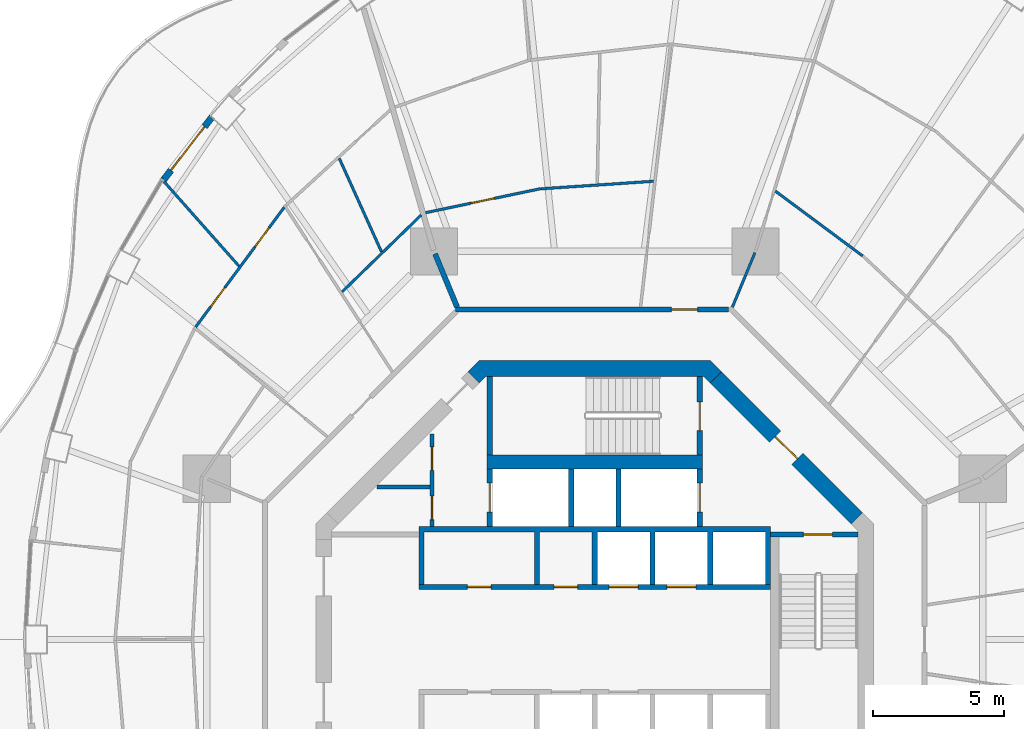
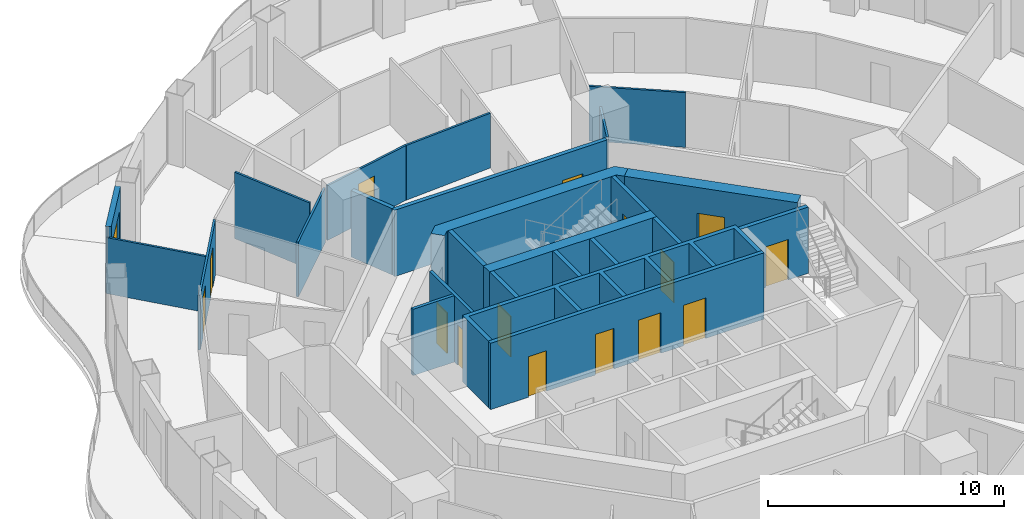
# One storey, part 14 of 19: 25 walls, 16 doors, 16 openings.
"""IFC4 building model written with IfcOpenShell, lengths in metres."""

from ifc_helpers import new_model, si_unit, direction, frame, frame_2d, origin, place, context, subcontext, project, spatial, polyline, rectangle, outline, extrude, material, layer, layer_set, type_object, element, fill, save


model = new_model("IFC4")

# Units and contexts
model_context = context("Model", 3, precision=1e-05, world=origin(), true_north=direction((0.0, 1.0)))
body_context = subcontext(model_context, "Body", "Model", "MODEL_VIEW")
ifc_project = project(units=[si_unit("LENGTHUNIT", "METRE"), si_unit("AREAUNIT", "SQUARE_METRE"), si_unit("VOLUMEUNIT", "CUBIC_METRE"), si_unit("PLANEANGLEUNIT", "RADIAN"), si_unit("MASSUNIT", "GRAM", prefix="KILO")], contexts=[model_context])

# Site, building, storey
site_placement = place(None, origin())
site = spatial("IfcSite", under=ifc_project, at=site_placement, CompositionType="ELEMENT")
building_placement = place(site_placement, origin())
building = spatial("IfcBuilding", under=site, at=building_placement, Name="Nagisa Residences", CompositionType="ELEMENT")
storey_placement = place(building_placement, frame((0.0, 0.0, 191.800048828125)))
storey = spatial("IfcBuildingStorey", under=building, at=storey_placement, Name="L48", CompositionType="ELEMENT", Elevation=191.800048828125)

# Wall
ifc_material_1 = material(Name="Gypsum board on steel studs", Category="steel")
ifc_layer_1 = layer(ifc_material_1, 0.199951171875)
ifc_layer_set_1 = layer_set([ifc_layer_1], Name="Apartment compartment wall EI60 200")
wall_type_1 = type_object("IfcWallType", Name="Apartment compartment wall EI60 200", PredefinedType="PARTITIONING", material=ifc_layer_set_1)
wall_1_placement = place(storey_placement, frame((-5.24267578125, 12.6572265625, 0.0), z_axis=(0.0, 0.0, 1.0), x_axis=(-0.382707856524, 0.923869415315, 0.0)))
element("IfcWall", 1, at=wall_1_placement, inside=storey, type_object=wall_type_1, Name="wall:L48:u02", PredefinedType="PARTITIONING", context=body_context, shape_type="SweptSolid", body=[
    extrude(rectangle(XDim=2.2001953125, YDim=0.199951171875, at=frame_2d((1.10009765625, 0.0))), origin(), (0.0, 0.0, 1.0), 3.43994140625),
])

# Wall, opening, door
ifc_material_2 = material(Name="Gypsum board on steel studs", Category="steel")
ifc_layer_2 = layer(ifc_material_2, 0.199951171875)
ifc_layer_set_2 = layer_set([ifc_layer_2], Name="Apartment entry wall EI60 200")
wall_type_2 = type_object("IfcWallType", Name="Apartment entry wall EI60 200", PredefinedType="PARTITIONING", material=ifc_layer_set_2)
wall_2_placement = place(storey_placement, frame((5.1044921875, 12.564697265625, 0.0), z_axis=(0.0, 0.0, 1.0), x_axis=(-1.0, 0.0, 0.0)))
wall_2 = element("IfcWall", 2, at=wall_2_placement, inside=storey, type_object=wall_type_2, Name="wall:L48:u12", PredefinedType="PARTITIONING", context=body_context, shape_type="SweptSolid", body=[
    extrude(rectangle(XDim=10.408935546875, YDim=0.199951171875, at=frame_2d((5.20458984375, 0.0))), origin(), (0.0, 0.0, 1.0), 3.43994140625),
])
opening_1_placement = place(wall_2_placement, frame((1.184814453125, 0.0, 0.0)))
opening_1 = element("IfcOpeningElement", 3, at=opening_1_placement, cuts=wall_2, Name="Opening L48-U31", PredefinedType="OPENING", context=body_context, shape_type="SweptSolid", body=[
    extrude(rectangle(XDim=1.0, YDim=2.10009765625, at=frame_2d((0.5, 1.050048828125))), frame((0.0, 0.10986328125, 0.0), z_axis=(0.0, -1.0, 0.0), x_axis=(1.0, 0.0, 0.0)), (0.0, 0.0, 1.0), 0.219970703125),
])
ifc_material_3 = material(Name="Timber fire door set", Category="wood")
door_type_1 = type_object("IfcDoorType", Name="Apartment entry door FD30S 1000x2100", OperationType="NOTDEFINED", PredefinedType="DOOR", material=ifc_material_3)
door_1_placement = place(opening_1_placement, frame((1.0, 0.0, 0.0), x_axis=(-1.0, 0.0, 0.0)))
door_1 = element("IfcDoor", 4, at=door_1_placement, inside=storey, type_object=door_type_1, Name="Entry door, Apartment 48D", OperationType="SINGLE_SWING_RIGHT", OverallHeight=2.10009765625, OverallWidth=1.0, PredefinedType="DOOR", context=body_context, shape_type="SweptSolid", body=[
    extrude(rectangle(XDim=1.0, YDim=2.10009765625, at=frame_2d((0.5, 1.050048828125))), frame((0.0, 0.02490234375, 0.0), z_axis=(0.0, -1.0, 0.0), x_axis=(1.0, 0.0, 0.0)), (0.0, 0.0, 1.0), 0.050048828125),
])
fill(opening_1, door_1)

# Walls
ifc_material_4 = material(Name="Gypsum board on steel studs", Category="steel")
ifc_layer_3 = layer(ifc_material_4, 0.10009765625)
ifc_layer_set_3 = layer_set([ifc_layer_3], Name="Apartment partition 100")
wall_type_3 = type_object("IfcWallType", Name="Apartment partition 100", PredefinedType="PARTITIONING", material=ifc_layer_set_3)
wall_3_placement = place(storey_placement, frame((10.20654296875, 14.609619140625, 0.0), z_axis=(0.0, 0.0, 1.0), x_axis=(-0.802784956441, 0.596268659005, 0.0)))
element("IfcWall", 5, at=wall_3_placement, inside=storey, type_object=wall_type_3, Name="wall:L48:u30", PredefinedType="PARTITIONING", context=body_context, shape_type="SweptSolid", body=[
    extrude(rectangle(XDim=4.142333984375, YDim=0.10009765625, at=frame_2d((2.0712890625, 0.0))), origin(), (0.0, 0.0, 1.0), 2.8369140625),
])
wall_4_placement = place(storey_placement, frame((5.24267578125, 12.6572265625, 0.0), z_axis=(0.0, 0.0, 1.0), x_axis=(0.382719158442, 0.923864733477, 0.0)))
element("IfcWall", 6, at=wall_4_placement, inside=storey, type_object=wall_type_3, Name="wall:L48:u32", PredefinedType="PARTITIONING", context=body_context, shape_type="SweptSolid", body=[
    extrude(rectangle(XDim=2.25, YDim=0.10009765625, at=frame_2d((1.125, 0.0))), origin(), (0.0, 0.0, 1.0), 3.43994140625),
])
wall_5_placement = place(storey_placement, frame((2.244384765625, 17.45458984375, 0.0), z_axis=(0.0, 0.0, 1.0), x_axis=(-0.997754717554, -0.066974051687, 0.0)))
element("IfcWall", 7, at=wall_5_placement, inside=storey, type_object=wall_type_3, Name="wall:L48:u36", PredefinedType="PARTITIONING", context=body_context, shape_type="SweptSolid", body=[
    extrude(rectangle(XDim=4.308837890625, YDim=0.10009765625, at=frame_2d((2.154296875, 0.0))), origin(), (0.0, 0.0, 1.0), 2.8369140625),
])

# Wall, opening, door
wall_6_placement = place(storey_placement, frame((-2.0556640625, 17.1728515625, 0.0), z_axis=(0.0, 0.0, 1.0), x_axis=(-0.978902917122, -0.20432591331, 0.0)))
wall_6 = element("IfcWall", 8, at=wall_6_placement, inside=storey, type_object=wall_type_3, Name="wall:L48:u39", PredefinedType="PARTITIONING", context=body_context, shape_type="SweptSolid", body=[
    extrude(rectangle(XDim=4.485595703125, YDim=0.10009765625, at=frame_2d((2.24267578125, 0.0))), origin(), (0.0, 0.0, 1.0), 2.8369140625),
])
opening_2_placement = place(wall_6_placement, frame((1.81787109375, 0.0, 0.0)))
opening_2 = element("IfcOpeningElement", 9, at=opening_2_placement, cuts=wall_6, Name="Opening L48-U36", PredefinedType="OPENING", context=body_context, shape_type="SweptSolid", body=[
    extrude(rectangle(XDim=0.89990234375, YDim=2.10009765625, at=frame_2d((0.449951171875, 1.050048828125))), frame((0.0, 0.06005859375, 0.0), z_axis=(0.0, -1.0, 0.0), x_axis=(1.0, 0.0, 0.0)), (0.0, 0.0, 1.0), 0.1201171875),
])
ifc_material_5 = material(Name="Timber door set", Category="wood")
door_type_2 = type_object("IfcDoorType", Name="Apartment door 900x2100", OperationType="NOTDEFINED", PredefinedType="DOOR", material=ifc_material_5)
door_2_placement = place(opening_2_placement, frame((0.89990234375, 0.0, 0.0), x_axis=(-1.0, 0.0, 0.0)))
door_2 = element("IfcDoor", 10, at=door_2_placement, inside=storey, type_object=door_type_2, Name="Door to family room, Apartment 48D", OperationType="SINGLE_SWING_LEFT", OverallHeight=2.10009765625, OverallWidth=0.89990234375, PredefinedType="DOOR", context=body_context, shape_type="SweptSolid", body=[
    extrude(rectangle(XDim=0.89990234375, YDim=2.10009765625, at=frame_2d((0.449951171875, 1.050048828125))), frame((0.0, 0.02490234375, 0.0), z_axis=(0.0, -1.0, 0.0), x_axis=(1.0, 0.0, 0.0)), (0.0, 0.0, 1.0), 0.050048828125),
])
fill(opening_2, door_2)

# Walls
wall_7_placement = place(storey_placement, frame((-6.6162109375, 16.166259765625, 0.0), z_axis=(0.0, 0.0, 1.0), x_axis=(-0.716919058692, -0.697156412352, 0.0)))
element("IfcWall", 11, at=wall_7_placement, inside=storey, type_object=wall_type_3, Name="wall:L48:u42", PredefinedType="PARTITIONING", context=body_context, shape_type="SweptSolid", body=[
    extrude(rectangle(XDim=4.2001953125, YDim=0.10009765625, at=frame_2d((2.10009765625, 0.0))), origin(), (0.0, 0.0, 1.0), 2.8369140625),
])
wall_8_placement = place(storey_placement, frame((-8.12451171875, 14.76513671875, 0.0), z_axis=(0.0, 0.0, 1.0), x_axis=(-0.411745679848, 0.911298795745, 0.0)))
element("IfcWall", 12, at=wall_8_placement, inside=storey, type_object=wall_type_3, Name="wall:L48:u44", PredefinedType="PARTITIONING", context=body_context, shape_type="SweptSolid", body=[
    extrude(rectangle(XDim=3.9091796875, YDim=0.10009765625, at=frame_2d((1.95458984375, 0.0))), origin(), (0.0, 0.0, 1.0), 3.43994140625),
])

# Wall, openings, doors
wall_9_placement = place(storey_placement, frame((-11.832275390625, 16.461181640625, 0.0), z_axis=(0.0, 0.0, 1.0), x_axis=(-0.594704483906, -0.803944386647, 0.0)))
wall_9 = element("IfcWall", 13, at=wall_9_placement, inside=storey, type_object=wall_type_3, Name="wall:L48:u46", PredefinedType="PARTITIONING", context=body_context, shape_type="SweptSolid", body=[
    extrude(rectangle(XDim=5.671875, YDim=0.10009765625, at=frame_2d((2.8359375, 0.0))), origin(), (0.0, 0.0, 1.0), 2.8369140625),
])
opening_3_placement = place(wall_9_placement, frame((0.968017578125, 0.0, 0.0)))
opening_3 = element("IfcOpeningElement", 14, at=opening_3_placement, cuts=wall_9, Name="Opening L48-U49", PredefinedType="OPENING", context=body_context, shape_type="SweptSolid", body=[
    extrude(rectangle(XDim=0.89990234375, YDim=2.10009765625, at=frame_2d((0.449951171875, 1.050048828125))), frame((0.0, 0.06005859375, 0.0), z_axis=(0.0, -1.0, 0.0), x_axis=(1.0, 0.0, 0.0)), (0.0, 0.0, 1.0), 0.1201171875),
])
opening_4_placement = place(wall_9_placement, frame((3.8037109375, 0.0, 0.0)))
opening_4 = element("IfcOpeningElement", 15, at=opening_4_placement, cuts=wall_9, Name="Opening L48-U50", PredefinedType="OPENING", context=body_context, shape_type="SweptSolid", body=[
    extrude(rectangle(XDim=0.89990234375, YDim=2.10009765625, at=frame_2d((0.449951171875, 1.050048828125))), frame((0.0, 0.06005859375, 0.0), z_axis=(0.0, -1.0, 0.0), x_axis=(1.0, 0.0, 0.0)), (0.0, 0.0, 1.0), 0.1201171875),
])
door_3_placement = place(opening_3_placement, frame((0.89990234375, 0.0, 0.0), x_axis=(-1.0, 0.0, 0.0)))
door_3 = element("IfcDoor", 16, at=door_3_placement, inside=storey, type_object=door_type_2, Name="Door to master bedroom, Apartment 48E", OperationType="SINGLE_SWING_RIGHT", OverallHeight=2.10009765625, OverallWidth=0.89990234375, PredefinedType="DOOR", context=body_context, shape_type="SweptSolid", body=[
    extrude(rectangle(XDim=0.89990234375, YDim=2.10009765625, at=frame_2d((0.449951171875, 1.050048828125))), frame((0.0, 0.02490234375, 0.0), z_axis=(0.0, -1.0, 0.0), x_axis=(1.0, 0.0, 0.0)), (0.0, 0.0, 1.0), 0.050048828125),
])
fill(opening_3, door_3)
door_4_placement = place(opening_4_placement, frame((0.89990234375, 0.0, 0.0), x_axis=(-1.0, 0.0, 0.0)))
door_4 = element("IfcDoor", 17, at=door_4_placement, inside=storey, type_object=door_type_2, Name="Door to family room, Apartment 48E", OperationType="SINGLE_SWING_LEFT", OverallHeight=2.10009765625, OverallWidth=0.89990234375, PredefinedType="DOOR", context=body_context, shape_type="SweptSolid", body=[
    extrude(rectangle(XDim=0.89990234375, YDim=2.10009765625, at=frame_2d((0.449951171875, 1.050048828125))), frame((0.0, 0.02490234375, 0.0), z_axis=(0.0, -1.0, 0.0), x_axis=(1.0, 0.0, 0.0)), (0.0, 0.0, 1.0), 0.050048828125),
])
fill(opening_4, door_4)

# Wall
wall_10_placement = place(storey_placement, frame((-13.552001953125, 14.21875, 0.0), z_axis=(0.0, 0.0, 1.0), x_axis=(-0.663542794709, 0.748138329181, 0.0)))
element("IfcWall", 18, at=wall_10_placement, inside=storey, type_object=wall_type_3, Name="wall:L48:u47", PredefinedType="PARTITIONING", context=body_context, shape_type="SweptSolid", body=[
    extrude(rectangle(XDim=4.4501953125, YDim=0.10009765625, at=frame_2d((2.22509765625, 0.0))), origin(), (0.0, 0.0, 1.0), 2.905029296875),
])

# Wall, opening, door
ifc_material_6 = material(Name="Precast concrete C40/50", Category="concrete")
ifc_layer_4 = layer(ifc_material_6, 0.25)
ifc_layer_set_4 = layer_set([ifc_layer_4], Name="BALCONY DOOR WALL 250")
wall_type_4 = type_object("IfcWallType", Name="BALCONY DOOR WALL 250", PredefinedType="SOLIDWALL", material=ifc_layer_set_4)
wall_11_placement = place(storey_placement, frame((-16.432373046875, 17.501708984375, 0.0), z_axis=(0.0, 0.0, 1.0), x_axis=(0.610437428894, 0.79206448311, 0.0)))
wall_11 = element("IfcWall", 19, at=wall_11_placement, inside=storey, type_object=wall_type_4, Name="wall:L48:bay18", PredefinedType="SOLIDWALL", context=body_context, shape_type="SweptSolid", body=[
    extrude(rectangle(XDim=3.03515625, YDim=0.25, at=frame_2d((1.517578125, 0.0))), origin(), (0.0, 0.0, 1.0), 3.43994140625),
])
opening_5_placement = place(wall_11_placement, frame((0.467529296875, 0.0, 0.0)))
opening_5 = element("IfcOpeningElement", 20, at=opening_5_placement, cuts=wall_11, Name="Opening BD-L48-07", PredefinedType="OPENING", context=body_context, shape_type="SweptSolid", body=[
    extrude(rectangle(XDim=2.10009765625, YDim=2.39990234375, at=frame_2d((1.050048828125, 1.199951171875))), frame((0.0, 0.135009765625, 0.0), z_axis=(0.0, -1.0, 0.0), x_axis=(1.0, 0.0, 0.0)), (0.0, 0.0, 1.0), 0.27001953125),
])
ifc_material_7 = material(Name="Aluminium and clear glass", Category="aluminium")
door_type_3 = type_object("IfcDoorType", Name="BALCONY SLIDING DOOR 2100x2400", OperationType="SLIDING_TO_LEFT", PredefinedType="DOOR", material=ifc_material_7)
door_5_placement = place(opening_5_placement, origin())
door_5 = element("IfcDoor", 21, at=door_5_placement, inside=storey, type_object=door_type_3, Name="door:L48:bay18", OperationType="SLIDING_TO_LEFT", OverallHeight=2.39990234375, OverallWidth=2.10009765625, PredefinedType="DOOR", context=body_context, shape_type="SweptSolid", body=[
    extrude(rectangle(XDim=2.10009765625, YDim=2.39990234375, at=frame_2d((1.050048828125, 1.199951171875))), frame((0.0, 0.02490234375, 0.0), z_axis=(0.0, -1.0, 0.0), x_axis=(1.0, 0.0, 0.0)), (0.0, 0.0, 1.0), 0.050048828125),
])
fill(opening_5, door_5)

# Wall, openings, doors
ifc_material_8 = material(Name="Gypsum board on steel studs", Category="steel")
ifc_layer_5 = layer(ifc_material_8, 0.14990234375)
ifc_layer_set_5 = layer_set([ifc_layer_5], Name="Core partition 150")
wall_type_5 = type_object("IfcWallType", Name="Core partition 150", PredefinedType="PARTITIONING", material=ifc_layer_set_5)
wall_12_placement = place(storey_placement, frame((-6.199951171875, 4.300048828125, 0.0), z_axis=(0.0, 0.0, 1.0), x_axis=(0.0, 1.0, 0.0)))
wall_12 = element("IfcWall", 22, at=wall_12_placement, inside=storey, type_object=wall_type_5, Name="wall:L48:NWp", PredefinedType="PARTITIONING", context=body_context, shape_type="SweptSolid", body=[
    extrude(rectangle(XDim=3.52685546875, YDim=0.14990234375, at=frame_2d((1.763427734375, 0.0))), origin(), (0.0, 0.0, 1.0), 3.43994140625),
])
opening_6_placement = place(wall_12_placement, frame((0.262451171875, 0.0, 0.0)))
opening_6 = element("IfcOpeningElement", 23, at=opening_6_placement, cuts=wall_12, Name="Opening L48-C11", PredefinedType="OPENING", context=body_context, shape_type="SweptSolid", body=[
    extrude(rectangle(XDim=0.89990234375, YDim=2.10009765625, at=frame_2d((0.449951171875, 1.050048828125))), frame((0.0, 0.0849609375, 0.0), z_axis=(0.0, -1.0, 0.0), x_axis=(1.0, 0.0, 0.0)), (0.0, 0.0, 1.0), 0.169921875),
])
opening_7_placement = place(wall_12_placement, frame((2.138427734375, 0.0, 0.0)))
opening_7 = element("IfcOpeningElement", 24, at=opening_7_placement, cuts=wall_12, Name="Opening L48-C12", PredefinedType="OPENING", context=body_context, shape_type="SweptSolid", body=[
    extrude(rectangle(XDim=0.89990234375, YDim=2.10009765625, at=frame_2d((0.449951171875, 1.050048828125))), frame((0.0, 0.0849609375, 0.0), z_axis=(0.0, -1.0, 0.0), x_axis=(1.0, 0.0, 0.0)), (0.0, 0.0, 1.0), 0.169921875),
])
ifc_material_9 = material(Name="Steel fire door", Category="steel")
door_type_4 = type_object("IfcDoorType", Name="Fire door EI30 900x2100 single swing", OperationType="NOTDEFINED", PredefinedType="DOOR", material=ifc_material_9)
door_6_placement = place(opening_6_placement, origin())
door_6 = element("IfcDoor", 25, at=door_6_placement, inside=storey, type_object=door_type_4, Name="Electrical room door L48", OperationType="SINGLE_SWING_RIGHT", OverallHeight=2.10009765625, OverallWidth=0.89990234375, PredefinedType="DOOR", context=body_context, shape_type="SweptSolid", body=[
    extrude(rectangle(XDim=0.89990234375, YDim=2.10009765625, at=frame_2d((0.449951171875, 1.050048828125))), frame((0.0, 0.02490234375, 0.0), z_axis=(0.0, -1.0, 0.0), x_axis=(1.0, 0.0, 0.0)), (0.0, 0.0, 1.0), 0.050048828125),
])
fill(opening_6, door_6)
door_7_placement = place(opening_7_placement, origin())
door_7 = element("IfcDoor", 26, at=door_7_placement, inside=storey, type_object=door_type_4, Name="Telecom room door L48", OperationType="SINGLE_SWING_RIGHT", OverallHeight=2.10009765625, OverallWidth=0.89990234375, PredefinedType="DOOR", context=body_context, shape_type="SweptSolid", body=[
    extrude(rectangle(XDim=0.89990234375, YDim=2.10009765625, at=frame_2d((0.449951171875, 1.050048828125))), frame((0.0, 0.02490234375, 0.0), z_axis=(0.0, -1.0, 0.0), x_axis=(1.0, 0.0, 0.0)), (0.0, 0.0, 1.0), 0.050048828125),
])
fill(opening_7, door_7)

# Wall
wall_13_placement = place(storey_placement, frame((-8.301025390625, 5.800048828125, 0.0), z_axis=(0.0, 0.0, 1.0), x_axis=(1.0, 0.0, 0.0)))
element("IfcWall", 27, at=wall_13_placement, inside=storey, type_object=wall_type_5, Name="wall:L48:NWq", PredefinedType="PARTITIONING", context=body_context, shape_type="SweptSolid", body=[
    extrude(rectangle(XDim=2.026123046875, YDim=0.14990234375, at=frame_2d((1.01318359375, 0.0))), origin(), (0.0, 0.0, 1.0), 3.43994140625),
])

# Wall, opening, door
ifc_material_10 = material(Name="Concrete C60", Category="concrete")
ifc_layer_6 = layer(ifc_material_10, 0.60009765625)
ifc_layer_set_6 = layer_set([ifc_layer_6], Name="Core shear wall 600")
wall_type_6 = type_object("IfcWallType", Name="Core shear wall 600", PredefinedType="SHEAR", material=ifc_layer_set_6)
wall_14_placement = place(storey_placement, frame((9.98828125, 4.613037109375, 0.0), z_axis=(0.0, 0.0, 1.0), x_axis=(-0.707106781187, 0.707106781187, 0.0)))
wall_14 = element("IfcWall", 28, at=wall_14_placement, inside=storey, type_object=wall_type_6, Name="wall:L48:core:flat1", PredefinedType="SHEAR", context=body_context, shape_type="SweptSolid", body=[
    extrude(rectangle(XDim=7.601806640625, YDim=0.60009765625, at=frame_2d((3.80078125, 0.0))), origin(), (0.0, 0.0, 1.0), 3.43994140625),
])
opening_8_placement = place(wall_14_placement, frame((3.200927734375, 0.0, 0.0)))
opening_8 = element("IfcOpeningElement", 29, at=opening_8_placement, cuts=wall_14, Name="Opening L48-C18", PredefinedType="OPENING", context=body_context, shape_type="SweptSolid", body=[
    extrude(rectangle(XDim=1.199951171875, YDim=2.10009765625, at=frame_2d((0.60009765625, 1.050048828125))), frame((0.0, 0.31005859375, 0.0), z_axis=(0.0, -1.0, 0.0), x_axis=(1.0, 0.0, 0.0)), (0.0, 0.0, 1.0), 0.6201171875),
])
ifc_material_11 = material(Name="Steel fire door", Category="steel")
door_type_5 = type_object("IfcDoorType", Name="Fire door EI60 1200x2100 single swing", OperationType="NOTDEFINED", PredefinedType="DOOR", material=ifc_material_11)
door_8_placement = place(opening_8_placement, origin())
door_8 = element("IfcDoor", 30, at=door_8_placement, inside=storey, type_object=door_type_5, Name="Firefighting lobby 1 door L48", OperationType="SINGLE_SWING_RIGHT", OverallHeight=2.10009765625, OverallWidth=1.199951171875, PredefinedType="DOOR", context=body_context, shape_type="SweptSolid", body=[
    extrude(rectangle(XDim=1.199951171875, YDim=2.10009765625, at=frame_2d((0.60009765625, 1.050048828125))), frame((0.0, 0.02490234375, 0.0), z_axis=(0.0, -1.0, 0.0), x_axis=(1.0, 0.0, 0.0)), (0.0, 0.0, 1.0), 0.050048828125),
])
fill(opening_8, door_8)

# Wall
wall_15_placement = place(storey_placement, origin())
element("IfcWall", 31, at=wall_15_placement, inside=storey, type_object=wall_type_6, Name="wall:L48:core:flat2", PredefinedType="SHEAR", context=body_context, shape_type="SweptSolid", body=[
    extrude(outline(polyline([(-4.15234375, 10.024658203125), (-4.40087890625, 9.776123046875), (-4.8251953125, 10.200439453125), (-4.40087890625, 10.62451171875), (4.40087890625, 10.62451171875), (4.8251953125, 10.200439453125), (4.40087890625, 9.776123046875), (4.15234375, 10.024658203125), (-4.15234375, 10.024658203125)])), origin(), (0.0, 0.0, 1.0), 3.43994140625),
])

# Wall, opening, door
ifc_material_12 = material(Name="Concrete C60", Category="concrete")
ifc_layer_7 = layer(ifc_material_12, 0.199951171875)
ifc_layer_set_7 = layer_set([ifc_layer_7], Name="Lift shaft wall 200")
wall_type_7 = type_object("IfcWallType", Name="Lift shaft wall 200", PredefinedType="SOLIDWALL", material=ifc_layer_set_7)
wall_16_placement = place(storey_placement, frame((4.0, 4.300048828125, 0.0), z_axis=(0.0, 0.0, 1.0), x_axis=(0.0, 1.0, 0.0)))
wall_16 = element("IfcWall", 32, at=wall_16_placement, inside=storey, type_object=wall_type_7, Name="wall:L48:Nb3", PredefinedType="SOLIDWALL", context=body_context, shape_type="SweptSolid", body=[
    extrude(rectangle(XDim=2.199951171875, YDim=0.199951171875, at=frame_2d((1.10009765625, 0.0))), origin(), (0.0, 0.0, 1.0), 3.43994140625),
])
opening_9_placement = place(wall_16_placement, frame((0.550048828125, 0.0, 0.0)))
opening_9 = element("IfcOpeningElement", 33, at=opening_9_placement, cuts=wall_16, Name="Opening L48-C05", PredefinedType="OPENING", context=body_context, shape_type="SweptSolid", body=[
    extrude(rectangle(XDim=1.10009765625, YDim=2.10009765625, at=frame_2d((0.550048828125, 1.050048828125))), frame((0.0, 0.10986328125, 0.0), z_axis=(0.0, -1.0, 0.0), x_axis=(1.0, 0.0, 0.0)), (0.0, 0.0, 1.0), 0.219970703125),
])
ifc_material_13 = material(Name="Stainless steel", Category="steel")
door_type_6 = type_object("IfcDoorType", Name="Lift landing door 1100x2100", OperationType="DOUBLE_DOOR_SLIDING", PredefinedType="DOOR", material=ifc_material_13)
door_9_placement = place(opening_9_placement, origin())
door_9 = element("IfcDoor", 34, at=door_9_placement, inside=storey, type_object=door_type_6, Name="Landing door FL1 L48", OperationType="DOUBLE_DOOR_SLIDING", OverallHeight=2.10009765625, OverallWidth=1.10009765625, PredefinedType="DOOR", context=body_context, shape_type="SweptSolid", body=[
    extrude(rectangle(XDim=1.10009765625, YDim=2.10009765625, at=frame_2d((0.550048828125, 1.050048828125))), frame((0.0, 0.02490234375, 0.0), z_axis=(0.0, -1.0, 0.0), x_axis=(1.0, 0.0, 0.0)), (0.0, 0.0, 1.0), 0.050048828125),
])
fill(opening_9, door_9)

wall_17_placement = place(storey_placement, frame((-4.0, 4.300048828125, 0.0), z_axis=(0.0, 0.0, 1.0), x_axis=(0.0, 1.0, 0.0)))
wall_17 = element("IfcWall", 35, at=wall_17_placement, inside=storey, type_object=wall_type_7, Name="wall:L48:Nb4", PredefinedType="SOLIDWALL", context=body_context, shape_type="SweptSolid", body=[
    extrude(rectangle(XDim=2.199951171875, YDim=0.199951171875, at=frame_2d((1.10009765625, 0.0))), origin(), (0.0, 0.0, 1.0), 3.43994140625),
])
opening_10_placement = place(wall_17_placement, frame((0.550048828125, 0.0, 0.0)))
opening_10 = element("IfcOpeningElement", 36, at=opening_10_placement, cuts=wall_17, Name="Opening L48-C07", PredefinedType="OPENING", context=body_context, shape_type="SweptSolid", body=[
    extrude(rectangle(XDim=1.10009765625, YDim=2.10009765625, at=frame_2d((0.550048828125, 1.050048828125))), frame((0.0, 0.10986328125, 0.0), z_axis=(0.0, -1.0, 0.0), x_axis=(1.0, 0.0, 0.0)), (0.0, 0.0, 1.0), 0.219970703125),
])
door_10_placement = place(opening_10_placement, origin())
door_10 = element("IfcDoor", 37, at=door_10_placement, inside=storey, type_object=door_type_6, Name="Landing door SV L48", OperationType="DOUBLE_DOOR_SLIDING", OverallHeight=2.10009765625, OverallWidth=1.10009765625, PredefinedType="DOOR", context=body_context, shape_type="SweptSolid", body=[
    extrude(rectangle(XDim=1.10009765625, YDim=2.10009765625, at=frame_2d((0.550048828125, 1.050048828125))), frame((0.0, 0.02490234375, 0.0), z_axis=(0.0, -1.0, 0.0), x_axis=(1.0, 0.0, 0.0)), (0.0, 0.0, 1.0), 0.050048828125),
])
fill(opening_10, door_10)

# Wall, openings, doors
wall_18_placement = place(storey_placement, frame((-6.699951171875, 2.0, 0.0), z_axis=(0.0, 0.0, 1.0), x_axis=(1.0, 0.0, 0.0)))
wall_18 = element("IfcWall", 38, at=wall_18_placement, inside=storey, type_object=wall_type_7, Name="wall:L48:Nfront", PredefinedType="SOLIDWALL", context=body_context, shape_type="SweptSolid", body=[
    extrude(rectangle(XDim=13.39990234375, YDim=0.199951171875, at=frame_2d((6.699951171875, 0.0))), origin(), (0.0, 0.0, 1.0), 3.43994140625),
])
opening_11_placement = place(wall_18_placement, frame((7.25, 0.0, 0.0)))
opening_11 = element("IfcOpeningElement", 39, at=opening_11_placement, cuts=wall_18, Name="Opening L48-C01", PredefinedType="OPENING", context=body_context, shape_type="SweptSolid", body=[
    extrude(rectangle(XDim=1.10009765625, YDim=2.10009765625, at=frame_2d((0.550048828125, 1.050048828125))), frame((0.0, 0.10986328125, 0.0), z_axis=(0.0, -1.0, 0.0), x_axis=(1.0, 0.0, 0.0)), (0.0, 0.0, 1.0), 0.219970703125),
])
opening_12_placement = place(wall_18_placement, frame((9.449951171875, 0.0, 0.0)))
opening_12 = element("IfcOpeningElement", 40, at=opening_12_placement, cuts=wall_18, Name="Opening L48-C02", PredefinedType="OPENING", context=body_context, shape_type="SweptSolid", body=[
    extrude(rectangle(XDim=1.10009765625, YDim=2.10009765625, at=frame_2d((0.550048828125, 1.050048828125))), frame((0.0, 0.10986328125, 0.0), z_axis=(0.0, -1.0, 0.0), x_axis=(1.0, 0.0, 0.0)), (0.0, 0.0, 1.0), 0.219970703125),
])
opening_13_placement = place(wall_18_placement, frame((1.85009765625, 0.0, 0.0)))
opening_13 = element("IfcOpeningElement", 41, at=opening_13_placement, cuts=wall_18, Name="Opening L48-C15", PredefinedType="OPENING", context=body_context, shape_type="SweptSolid", body=[
    extrude(rectangle(XDim=0.89990234375, YDim=2.10009765625, at=frame_2d((0.449951171875, 1.050048828125))), frame((0.0, 0.10986328125, 0.0), z_axis=(0.0, -1.0, 0.0), x_axis=(1.0, 0.0, 0.0)), (0.0, 0.0, 1.0), 0.219970703125),
])
opening_14_placement = place(wall_18_placement, frame((5.14990234375, 0.0, 0.0)))
opening_14 = element("IfcOpeningElement", 42, at=opening_14_placement, cuts=wall_18, Name="Opening L48-C16", PredefinedType="OPENING", context=body_context, shape_type="SweptSolid", body=[
    extrude(rectangle(XDim=0.89990234375, YDim=2.10009765625, at=frame_2d((0.449951171875, 1.050048828125))), frame((0.0, 0.10986328125, 0.0), z_axis=(0.0, -1.0, 0.0), x_axis=(1.0, 0.0, 0.0)), (0.0, 0.0, 1.0), 0.219970703125),
])
door_11_placement = place(opening_13_placement, origin())
door_11 = element("IfcDoor", 43, at=door_11_placement, inside=storey, type_object=door_type_4, Name="Linen store door L48", OperationType="SINGLE_SWING_LEFT", OverallHeight=2.10009765625, OverallWidth=0.89990234375, PredefinedType="DOOR", context=body_context, shape_type="SweptSolid", body=[
    extrude(rectangle(XDim=0.89990234375, YDim=2.10009765625, at=frame_2d((0.449951171875, 1.050048828125))), frame((0.0, 0.02490234375, 0.0), z_axis=(0.0, -1.0, 0.0), x_axis=(1.0, 0.0, 0.0)), (0.0, 0.0, 1.0), 0.050048828125),
])
fill(opening_13, door_11)
door_12_placement = place(opening_14_placement, origin())
door_12 = element("IfcDoor", 44, at=door_12_placement, inside=storey, type_object=door_type_4, Name="Tea preparation door L48", OperationType="SINGLE_SWING_LEFT", OverallHeight=2.10009765625, OverallWidth=0.89990234375, PredefinedType="DOOR", context=body_context, shape_type="SweptSolid", body=[
    extrude(rectangle(XDim=0.89990234375, YDim=2.10009765625, at=frame_2d((0.449951171875, 1.050048828125))), frame((0.0, 0.02490234375, 0.0), z_axis=(0.0, -1.0, 0.0), x_axis=(1.0, 0.0, 0.0)), (0.0, 0.0, 1.0), 0.050048828125),
])
fill(opening_14, door_12)
door_13_placement = place(opening_11_placement, origin())
door_13 = element("IfcDoor", 45, at=door_13_placement, inside=storey, type_object=door_type_6, Name="Landing door B1 L48", OperationType="DOUBLE_DOOR_SLIDING", OverallHeight=2.10009765625, OverallWidth=1.10009765625, PredefinedType="DOOR", context=body_context, shape_type="SweptSolid", body=[
    extrude(rectangle(XDim=1.10009765625, YDim=2.10009765625, at=frame_2d((0.550048828125, 1.050048828125))), frame((0.0, 0.02490234375, 0.0), z_axis=(0.0, -1.0, 0.0), x_axis=(1.0, 0.0, 0.0)), (0.0, 0.0, 1.0), 0.050048828125),
])
fill(opening_11, door_13)
door_14_placement = place(opening_12_placement, origin())
door_14 = element("IfcDoor", 46, at=door_14_placement, inside=storey, type_object=door_type_6, Name="Landing door B2 L48", OperationType="DOUBLE_DOOR_SLIDING", OverallHeight=2.10009765625, OverallWidth=1.10009765625, PredefinedType="DOOR", context=body_context, shape_type="SweptSolid", body=[
    extrude(rectangle(XDim=1.10009765625, YDim=2.10009765625, at=frame_2d((0.550048828125, 1.050048828125))), frame((0.0, 0.02490234375, 0.0), z_axis=(0.0, -1.0, 0.0), x_axis=(1.0, 0.0, 0.0)), (0.0, 0.0, 1.0), 0.050048828125),
])
fill(opening_12, door_14)

# Walls
for number, where, z_axis, x_axis, name in (
    (47, (-0.89990234375, 4.300048828125, 0.0), (0.0, 0.0, 1.0), (0.0, 1.0, 0.0), "wall:L48:Nb1"),
    (48, (0.89990234375, 4.300048828125, 0.0), (0.0, 0.0, 1.0), (0.0, 1.0, 0.0), "wall:L48:Nb2"),
):
    element("IfcWall", number, at=place(storey_placement, frame(where, z_axis=z_axis, x_axis=x_axis)), inside=storey, type_object=wall_type_7, Name=name, PredefinedType="SOLIDWALL", context=body_context, shape_type="SweptSolid", body=[
        extrude(rectangle(XDim=2.199951171875, YDim=0.199951171875, at=frame_2d((1.10009765625, 0.0))), origin(), (0.0, 0.0, 1.0), 3.43994140625),
    ])
wall_19_placement = place(storey_placement, origin())
element("IfcWall", 49, at=wall_19_placement, inside=storey, type_object=wall_type_7, Name="wall:L48:Nback", PredefinedType="SOLIDWALL", context=body_context, shape_type="SweptSolid", body=[
    extrude(outline(polyline([(-6.699951171875, 4.300048828125), (6.699951171875, 4.300048828125), (6.699951171875, 2.10009765625), (6.5, 2.10009765625), (6.5, 4.10009765625), (4.5, 4.10009765625), (4.5, 2.10009765625), (4.300048828125, 2.10009765625), (4.300048828125, 4.10009765625), (2.300048828125, 4.10009765625), (2.300048828125, 2.10009765625), (2.10009765625, 2.10009765625), (2.10009765625, 4.10009765625), (0.10009765625, 4.10009765625), (0.10009765625, 2.10009765625), (-0.10009765625, 2.10009765625), (-0.10009765625, 4.10009765625), (-2.10009765625, 4.10009765625), (-2.10009765625, 2.10009765625), (-2.300048828125, 2.10009765625), (-2.300048828125, 4.10009765625), (-6.5, 4.10009765625), (-6.5, 2.10009765625), (-6.699951171875, 2.10009765625), (-6.699951171875, 4.300048828125)])), origin(), (0.0, 0.0, 1.0), 3.43994140625),
])

# Wall, opening, door
ifc_material_14 = material(Name="Concrete C60", Category="concrete")
ifc_layer_8 = layer(ifc_material_14, 0.199951171875)
ifc_layer_set_8 = layer_set([ifc_layer_8], Name="Stair enclosure wall 200")
wall_type_8 = type_object("IfcWallType", Name="Stair enclosure wall 200", PredefinedType="SOLIDWALL", material=ifc_layer_set_8)
wall_20_placement = place(storey_placement, frame((6.699951171875, 4.0, 0.0), z_axis=(0.0, 0.0, 1.0), x_axis=(1.0, 0.0, 0.0)))
wall_20 = element("IfcWall", 50, at=wall_20_placement, inside=storey, type_object=wall_type_8, Name="wall:L48:SE_n", PredefinedType="SOLIDWALL", context=body_context, shape_type="SweptSolid", body=[
    extrude(rectangle(XDim=3.32470703125, YDim=0.199951171875, at=frame_2d((1.662353515625, 0.0))), origin(), (0.0, 0.0, 1.0), 3.43994140625),
])
opening_15_placement = place(wall_20_placement, frame((1.25, 0.0, 0.0)))
opening_15 = element("IfcOpeningElement", 51, at=opening_15_placement, cuts=wall_20, Name="Opening L48-C08", PredefinedType="OPENING", context=body_context, shape_type="SweptSolid", body=[
    extrude(rectangle(XDim=1.10009765625, YDim=2.10009765625, at=frame_2d((0.550048828125, 1.050048828125))), frame((0.0, 0.10986328125, 0.0), z_axis=(0.0, -1.0, 0.0), x_axis=(1.0, 0.0, 0.0)), (0.0, 0.0, 1.0), 0.219970703125),
])
ifc_material_15 = material(Name="Steel fire door", Category="steel")
door_type_7 = type_object("IfcDoorType", Name="Fire door EI90 1100x2100 single swing", OperationType="NOTDEFINED", PredefinedType="DOOR", material=ifc_material_15)
door_15_placement = place(opening_15_placement, frame((1.10009765625, 0.0, 0.0), x_axis=(-1.0, 0.0, 0.0)))
door_15 = element("IfcDoor", 52, at=door_15_placement, inside=storey, type_object=door_type_7, Name="Stair door ST-E L48", OperationType="SINGLE_SWING_RIGHT", OverallHeight=2.10009765625, OverallWidth=1.10009765625, PredefinedType="DOOR", context=body_context, shape_type="SweptSolid", body=[
    extrude(rectangle(XDim=1.10009765625, YDim=2.10009765625, at=frame_2d((0.550048828125, 1.050048828125))), frame((0.0, 0.02490234375, 0.0), z_axis=(0.0, -1.0, 0.0), x_axis=(1.0, 0.0, 0.0)), (0.0, 0.0, 1.0), 0.050048828125),
])
fill(opening_15, door_15)

wall_21_placement = place(storey_placement, frame((4.0, 7.024658203125, 0.0), z_axis=(0.0, 0.0, 1.0), x_axis=(0.0, 1.0, 0.0)))
wall_21 = element("IfcWall", 53, at=wall_21_placement, inside=storey, type_object=wall_type_8, Name="wall:L48:SN_e", PredefinedType="SOLIDWALL", context=body_context, shape_type="SweptSolid", body=[
    extrude(rectangle(XDim=3.0, YDim=0.199951171875, at=frame_2d((1.5, 0.0))), origin(), (0.0, 0.0, 1.0), 3.43994140625),
])
opening_16_placement = place(wall_21_placement, frame((0.92529296875, 0.0, 0.0)))
opening_16 = element("IfcOpeningElement", 54, at=opening_16_placement, cuts=wall_21, Name="Opening L48-C09", PredefinedType="OPENING", context=body_context, shape_type="SweptSolid", body=[
    extrude(rectangle(XDim=1.10009765625, YDim=2.10009765625, at=frame_2d((0.550048828125, 1.050048828125))), frame((0.0, 0.10986328125, 0.0), z_axis=(0.0, -1.0, 0.0), x_axis=(1.0, 0.0, 0.0)), (0.0, 0.0, 1.0), 0.219970703125),
])
door_16_placement = place(opening_16_placement, origin())
door_16 = element("IfcDoor", 55, at=door_16_placement, inside=storey, type_object=door_type_7, Name="Stair door ST-N L48", OperationType="SINGLE_SWING_LEFT", OverallHeight=2.10009765625, OverallWidth=1.10009765625, PredefinedType="DOOR", context=body_context, shape_type="SweptSolid", body=[
    extrude(rectangle(XDim=1.10009765625, YDim=2.10009765625, at=frame_2d((0.550048828125, 1.050048828125))), frame((0.0, 0.02490234375, 0.0), z_axis=(0.0, -1.0, 0.0), x_axis=(1.0, 0.0, 0.0)), (0.0, 0.0, 1.0), 0.050048828125),
])
fill(opening_16, door_16)

# Walls
wall_22_placement = place(storey_placement, origin())
element("IfcWall", 56, at=wall_22_placement, inside=storey, type_object=wall_type_8, Name="wall:L48:SN_w", PredefinedType="SOLIDWALL", context=body_context, shape_type="SweptSolid", body=[
    extrude(outline(polyline([(-3.89990234375, 7.024658203125), (-4.10009765625, 7.024658203125), (-4.10009765625, 10.024658203125), (-3.89990234375, 10.024658203125), (-3.89990234375, 7.024658203125)])), origin(), (0.0, 0.0, 1.0), 3.43994140625),
])
wall_23_placement = place(storey_placement, origin())
element("IfcWall", 57, at=wall_23_placement, inside=storey, type_object=wall_type_8, Name="wall:L48:SN_s", PredefinedType="SOLIDWALL", context=body_context, shape_type="SweptSolid", body=[
    extrude(outline(polyline([(4.10009765625, 6.5), (-4.10009765625, 6.5), (-4.10009765625, 7.024658203125), (4.10009765625, 7.024658203125), (4.10009765625, 6.5)])), origin(), (0.0, 0.0, 1.0), 3.43994140625),
])

save(model, "model.ifc")
